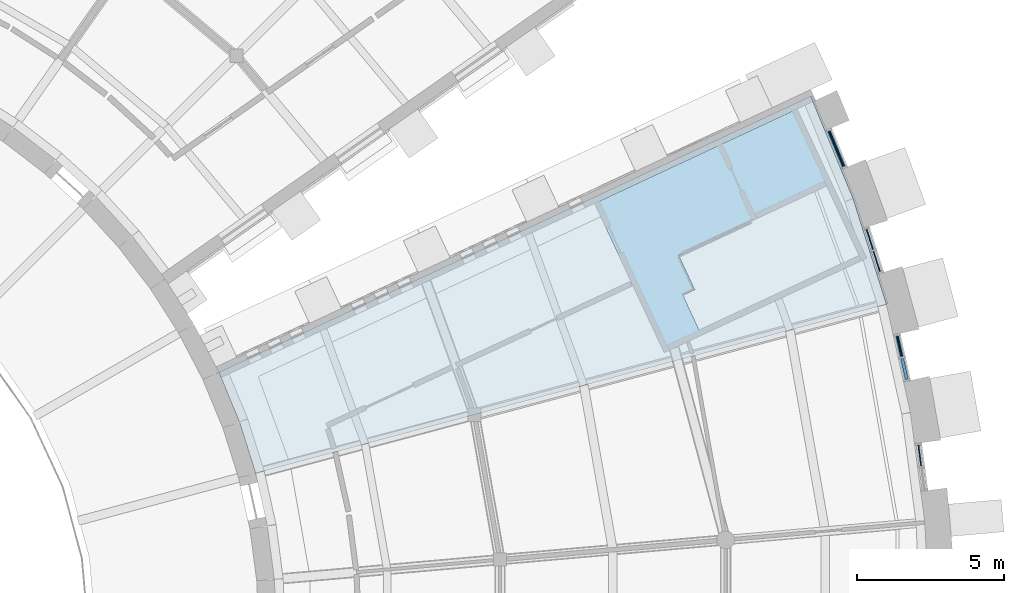
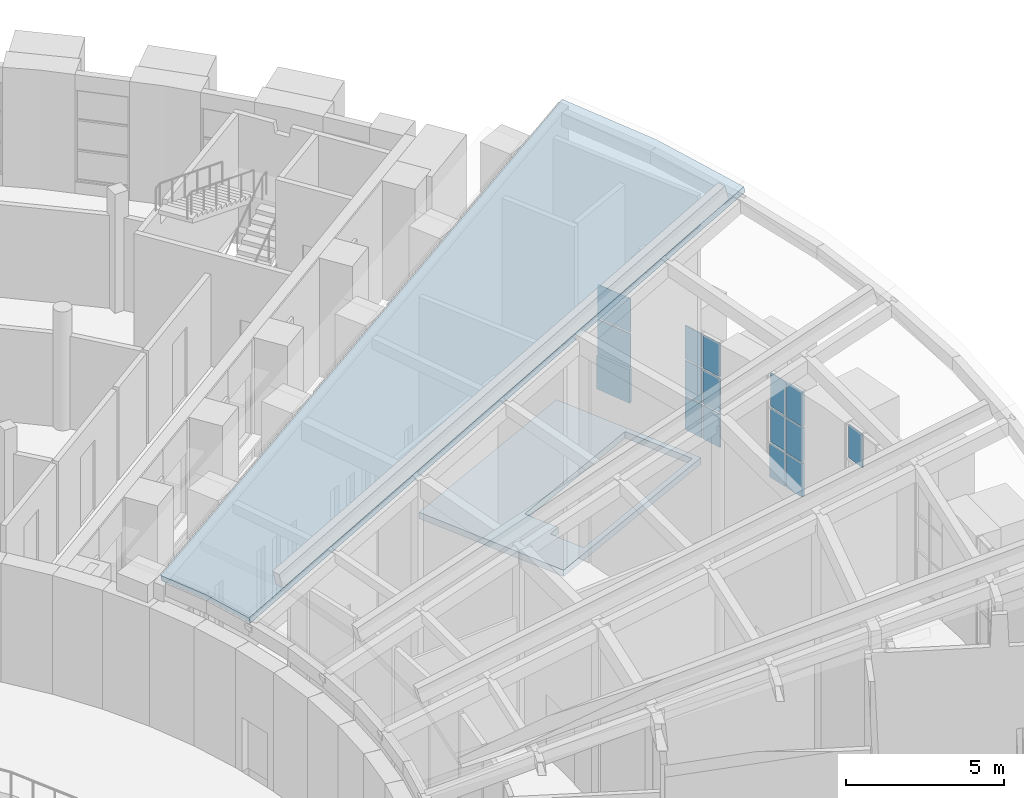
# One storey, part 20 of 50: 16 plates, 2 slabs, 4 elements without a shape of their own.
"""IFC4 building model written with IfcOpenShell, lengths in metres."""

from ifc_helpers import new_model, si_unit, direction, frame, origin, origin_2d, place, context, subcontext, project, spatial, polyline, rectangle, outline, extrude, material, layer, layer_set, type_object, element, aggregate, save


model = new_model("IFC4")

# Units and contexts
model_context = context("Model", 3, precision=1e-05, world=origin(), true_north=direction((0.0, 1.0)))
body_context = subcontext(model_context, "Body", "Model", "MODEL_VIEW")
ifc_project = project(units=[si_unit("LENGTHUNIT", "METRE"), si_unit("AREAUNIT", "SQUARE_METRE"), si_unit("VOLUMEUNIT", "CUBIC_METRE"), si_unit("PLANEANGLEUNIT", "RADIAN"), si_unit("MASSUNIT", "GRAM", prefix="KILO")], contexts=[model_context])

# Site, building, storey
site_placement = place(None, origin())
site = spatial("IfcSite", under=ifc_project, at=site_placement, CompositionType="ELEMENT")
building_placement = place(site_placement, origin())
building = spatial("IfcBuilding", under=site, at=building_placement, Name="Volute Hill Aquarium", CompositionType="ELEMENT")
storey_placement = place(building_placement, frame((0.0, 0.0, 9.199951171875)))
storey = spatial("IfcBuildingStorey", under=building, at=storey_placement, Name="L03", CompositionType="ELEMENT", Elevation=9.199951171875)

# Slab
ifc_material_1 = material(Name="Concrete C30/37", Category="concrete")
ifc_layer_1 = layer(ifc_material_1, 0.25)
ifc_layer_set_1 = layer_set([ifc_layer_1], Name="Core floor slab 250")
slab_type_1 = type_object("IfcSlabType", Name="Core floor slab 250", PredefinedType="FLOOR", material=ifc_layer_set_1)
slab_1_placement = place(storey_placement, frame((0.0, 0.0, -0.25)))
element("IfcSlab", 1, at=slab_1_placement, inside=storey, type_object=slab_type_1, Name="cs/S4-B/L03", PredefinedType="FLOOR", context=body_context, shape_type="SweptSolid", body=[
    extrude(outline(polyline([(34.172119140625, 9.53515625), (41.059814453125, 12.7470703125), (38.693115234375, 17.822265625), (31.805419921875, 14.6103515625), (34.172119140625, 9.53515625)]), holes=[polyline([(34.665283203125, 12.8544921875), (39.6953125, 15.2001953125), (40.794189453125, 12.84375), (35.358154296875, 10.308837890625), (34.80859375, 11.487060546875), (35.214599609375, 11.676513671875), (34.665283203125, 12.8544921875)])]), origin(), (0.0, 0.0, 1.0), 0.25),
])

# Curtain wall, plate
ifc_material_2 = material(Name="Aluminium", Category="aluminium")
ifc_layer_2 = layer(ifc_material_2, 0.25)
ifc_layer_set_2 = layer_set([ifc_layer_2], Name="Curtain wall niche S4 module 819")
curtain_wall_type_1 = type_object("IfcCurtainWallType", Name="Curtain wall niche S4 module 819", PredefinedType="NOTDEFINED", material=ifc_layer_set_2)
curtain_wall_1_placement = place(storey_placement, origin())
curtain_wall_1 = element("IfcCurtainWall", 2, at=curtain_wall_1_placement, inside=storey, type_object=curtain_wall_type_1, Name="Curtain wall CW S4 L03 7", PredefinedType="NOTDEFINED")
ifc_material_3 = material(Name="Glass, low-iron laminated", Category="glass")
ifc_layer_3 = layer(ifc_material_3, 0.035888671875)
ifc_layer_set_3 = layer_set([ifc_layer_3], Name="Curtain wall glass panel S4 36")
plate_type_1 = type_object("IfcPlateType", Name="Curtain wall glass panel S4 36", PredefinedType="CURTAIN_PANEL", material=ifc_layer_set_3)
plate_1_placement = place(storey_placement, frame((42.86181640625, 6.04052734375, 3.24658203125), z_axis=(0.0, 0.0, 1.0), x_axis=(-0.130515808269, 0.991446228392, 0.0)))
plate_1 = element("IfcPlate", 3, at=plate_1_placement, type_object=plate_type_1, Name="CW panel 2.3", PredefinedType="CURTAIN_PANEL", context=body_context, shape_type="SweptSolid", body=[
    extrude(rectangle(XDim=0.728759765625, YDim=0.035888671875, at=origin_2d()), origin(), (0.0, 0.0, 1.0), 1.293212890625),
])
aggregate(curtain_wall_1, [plate_1])

# Curtain wall, plates
curtain_wall_2_placement = place(storey_placement, origin())
curtain_wall_2 = element("IfcCurtainWall", 4, at=curtain_wall_2_placement, inside=storey, type_object=curtain_wall_type_1, Name="Curtain wall CW S4 L03 8", PredefinedType="NOTDEFINED")
plate_2_placement = place(storey_placement, frame((42.172119140625, 9.753173828125, 1.863525390625), z_axis=(0.0, 0.0, 1.0), x_axis=(-0.216436399795, 0.976296719673, 0.0)))
plate_2 = element("IfcPlate", 5, at=plate_2_placement, type_object=plate_type_1, Name="CW panel 2.2", PredefinedType="CURTAIN_PANEL", context=body_context, shape_type="SweptSolid", body=[
    extrude(rectangle(XDim=0.728759765625, YDim=0.035888671875, at=origin_2d()), origin(), (0.0, 0.0, 1.0), 1.3232421875),
])
plate_3_placement = place(storey_placement, frame((42.172119140625, 9.753173828125, 3.24658203125), z_axis=(0.0, 0.0, 1.0), x_axis=(-0.216436399795, 0.976296719673, 0.0)))
plate_3 = element("IfcPlate", 6, at=plate_3_placement, type_object=plate_type_1, Name="CW panel 2.3", PredefinedType="CURTAIN_PANEL", context=body_context, shape_type="SweptSolid", body=[
    extrude(rectangle(XDim=0.728759765625, YDim=0.035888671875, at=origin_2d()), origin(), (0.0, 0.0, 1.0), 1.293212890625),
])

curtain_wall_3_placement = place(storey_placement, origin())
curtain_wall_3 = element("IfcCurtainWall", 7, at=curtain_wall_3_placement, inside=storey, type_object=curtain_wall_type_1, Name="Curtain wall CW S4 L03 9", PredefinedType="NOTDEFINED")
plate_4_placement = place(storey_placement, frame((41.398681640625, 12.639404296875, 0.51025390625), z_axis=(0.0, 0.0, 1.0), x_axis=(-0.300709576466, 0.953715759869, 0.0)))
plate_4 = element("IfcPlate", 8, at=plate_4_placement, type_object=plate_type_1, Name="CW panel 1.1", PredefinedType="CURTAIN_PANEL", context=body_context, shape_type="SweptSolid", body=[
    extrude(rectangle(XDim=0.728759765625, YDim=0.035888671875, at=origin_2d()), origin(), (0.0, 0.0, 1.0), 1.293212890625),
])
plate_5_placement = place(storey_placement, frame((41.398681640625, 12.639404296875, 1.863525390625), z_axis=(0.0, 0.0, 1.0), x_axis=(-0.300709576466, 0.953715759869, 0.0)))
plate_5 = element("IfcPlate", 9, at=plate_5_placement, type_object=plate_type_1, Name="CW panel 1.2", PredefinedType="CURTAIN_PANEL", context=body_context, shape_type="SweptSolid", body=[
    extrude(rectangle(XDim=0.728759765625, YDim=0.035888671875, at=origin_2d()), origin(), (0.0, 0.0, 1.0), 1.3232421875),
])
plate_6_placement = place(storey_placement, frame((41.398681640625, 12.639404296875, 3.24658203125), z_axis=(0.0, 0.0, 1.0), x_axis=(-0.300709576466, 0.953715759869, 0.0)))
plate_6 = element("IfcPlate", 10, at=plate_6_placement, type_object=plate_type_1, Name="CW panel 1.3", PredefinedType="CURTAIN_PANEL", context=body_context, shape_type="SweptSolid", body=[
    extrude(rectangle(XDim=0.728759765625, YDim=0.035888671875, at=origin_2d()), origin(), (0.0, 0.0, 1.0), 1.293212890625),
])
plate_7_placement = place(storey_placement, frame((41.16162109375, 13.391845703125, 0.51025390625), z_axis=(0.0, 0.0, 1.0), x_axis=(-0.300709576466, 0.953715759869, 0.0)))
plate_7 = element("IfcPlate", 11, at=plate_7_placement, type_object=plate_type_1, Name="CW panel 2.1", PredefinedType="CURTAIN_PANEL", context=body_context, shape_type="SweptSolid", body=[
    extrude(rectangle(XDim=0.728759765625, YDim=0.035888671875, at=origin_2d()), origin(), (0.0, 0.0, 1.0), 1.293212890625),
])
plate_8_placement = place(storey_placement, frame((41.16162109375, 13.391845703125, 1.863525390625), z_axis=(0.0, 0.0, 1.0), x_axis=(-0.300709576466, 0.953715759869, 0.0)))
plate_8 = element("IfcPlate", 12, at=plate_8_placement, type_object=plate_type_1, Name="CW panel 2.2", PredefinedType="CURTAIN_PANEL", context=body_context, shape_type="SweptSolid", body=[
    extrude(rectangle(XDim=0.728759765625, YDim=0.035888671875, at=origin_2d()), origin(), (0.0, 0.0, 1.0), 1.3232421875),
])
plate_9_placement = place(storey_placement, frame((41.16162109375, 13.391845703125, 3.24658203125), z_axis=(0.0, 0.0, 1.0), x_axis=(-0.300709576466, 0.953715759869, 0.0)))
plate_9 = element("IfcPlate", 13, at=plate_9_placement, type_object=plate_type_1, Name="CW panel 2.3", PredefinedType="CURTAIN_PANEL", context=body_context, shape_type="SweptSolid", body=[
    extrude(rectangle(XDim=0.728759765625, YDim=0.035888671875, at=origin_2d()), origin(), (0.0, 0.0, 1.0), 1.293212890625),
])
aggregate(curtain_wall_3, [plate_4, plate_5, plate_6, plate_7, plate_8, plate_9])

ifc_material_4 = material(Name="Aluminium", Category="aluminium")
ifc_layer_4 = layer(ifc_material_4, 0.25)
ifc_layer_set_4 = layer_set([ifc_layer_4], Name="Curtain wall niche S4 module 1437")
curtain_wall_type_2 = type_object("IfcCurtainWallType", Name="Curtain wall niche S4 module 1437", PredefinedType="NOTDEFINED", material=ifc_layer_set_4)
curtain_wall_4_placement = place(storey_placement, origin())
curtain_wall_4 = element("IfcCurtainWall", 14, at=curtain_wall_4_placement, inside=storey, type_object=curtain_wall_type_2, Name="Curtain wall CW S4 L03 10", PredefinedType="NOTDEFINED")
plate_10_placement = place(storey_placement, frame((40.027099609375, 16.471435546875, 1.863525390625), z_axis=(0.0, 0.0, 1.0), x_axis=(-0.38269714514, 0.923873852375, 0.0)))
plate_10 = element("IfcPlate", 15, at=plate_10_placement, type_object=plate_type_1, Name="CW panel 1.2", PredefinedType="CURTAIN_PANEL", context=body_context, shape_type="SweptSolid", body=[
    extrude(rectangle(XDim=1.317138671875, YDim=0.035888671875, at=origin_2d()), origin(), (0.0, 0.0, 1.0), 1.3232421875),
])
plate_11_placement = place(storey_placement, frame((40.027099609375, 16.471435546875, 3.24658203125), z_axis=(0.0, 0.0, 1.0), x_axis=(-0.38269714514, 0.923873852375, 0.0)))
plate_11 = element("IfcPlate", 16, at=plate_11_placement, type_object=plate_type_1, Name="CW panel 1.3", PredefinedType="CURTAIN_PANEL", context=body_context, shape_type="SweptSolid", body=[
    extrude(rectangle(XDim=1.317138671875, YDim=0.035888671875, at=origin_2d()), origin(), (0.0, 0.0, 1.0), 1.293212890625),
])

# Plate
ifc_material_5 = material(Name="Aluminium", Category="aluminium")
ifc_layer_5 = layer(ifc_material_5, 0.10009765625)
ifc_layer_set_5 = layer_set([ifc_layer_5], Name="Curtain wall insulated spandrel panel 100")
plate_type_2 = type_object("IfcPlateType", Name="Curtain wall insulated spandrel panel 100", PredefinedType="CURTAIN_PANEL", material=ifc_layer_set_5)
plate_12_placement = place(storey_placement, frame((42.3427734375, 8.983154296875, 0.51025390625), z_axis=(0.0, 0.0, 1.0), x_axis=(-0.216436399795, 0.976296719673, 0.0)))
plate_12 = element("IfcPlate", 17, at=plate_12_placement, type_object=plate_type_2, Name="CW panel 1.1", PredefinedType="CURTAIN_PANEL", context=body_context, shape_type="SweptSolid", body=[
    extrude(rectangle(XDim=0.728759765625, YDim=0.10009765625, at=origin_2d()), origin(), (0.0, 0.0, 1.0), 1.293212890625),
])

plate_13_placement = place(storey_placement, frame((42.3427734375, 8.983154296875, 1.863525390625), z_axis=(0.0, 0.0, 1.0), x_axis=(-0.216436399795, 0.976296719673, 0.0)))
plate_13 = element("IfcPlate", 18, at=plate_13_placement, type_object=plate_type_2, Name="CW panel 1.2", PredefinedType="CURTAIN_PANEL", context=body_context, shape_type="SweptSolid", body=[
    extrude(rectangle(XDim=0.728759765625, YDim=0.10009765625, at=origin_2d()), origin(), (0.0, 0.0, 1.0), 1.3232421875),
])

plate_14_placement = place(storey_placement, frame((42.3427734375, 8.983154296875, 3.24658203125), z_axis=(0.0, 0.0, 1.0), x_axis=(-0.216436399795, 0.976296719673, 0.0)))
plate_14 = element("IfcPlate", 19, at=plate_14_placement, type_object=plate_type_2, Name="CW panel 1.3", PredefinedType="CURTAIN_PANEL", context=body_context, shape_type="SweptSolid", body=[
    extrude(rectangle(XDim=0.728759765625, YDim=0.10009765625, at=origin_2d()), origin(), (0.0, 0.0, 1.0), 1.293212890625),
])

plate_15_placement = place(storey_placement, frame((42.172119140625, 9.753173828125, 0.51025390625), z_axis=(0.0, 0.0, 1.0), x_axis=(-0.216436399795, 0.976296719673, 0.0)))
plate_15 = element("IfcPlate", 20, at=plate_15_placement, type_object=plate_type_2, Name="CW panel 2.1", PredefinedType="CURTAIN_PANEL", context=body_context, shape_type="SweptSolid", body=[
    extrude(rectangle(XDim=0.728759765625, YDim=0.10009765625, at=origin_2d()), origin(), (0.0, 0.0, 1.0), 1.293212890625),
])

aggregate(curtain_wall_2, [plate_12, plate_13, plate_14, plate_15, plate_2, plate_3])

plate_16_placement = place(storey_placement, frame((40.027099609375, 16.471435546875, 0.51025390625), z_axis=(0.0, 0.0, 1.0), x_axis=(-0.38269714514, 0.923873852375, 0.0)))
plate_16 = element("IfcPlate", 21, at=plate_16_placement, type_object=plate_type_2, Name="CW panel 1.1", PredefinedType="CURTAIN_PANEL", context=body_context, shape_type="SweptSolid", body=[
    extrude(rectangle(XDim=1.317138671875, YDim=0.10009765625, at=origin_2d()), origin(), (0.0, 0.0, 1.0), 1.293212890625),
])

aggregate(curtain_wall_4, [plate_16, plate_10, plate_11])

# Slab
ifc_material_6 = material(Name="Concrete C30/37", Category="concrete")
ifc_layer_6 = layer(ifc_material_6, 0.25)
ifc_layer_set_6 = layer_set([ifc_layer_6], Name="Roof slab 250 C30/37")
slab_type_2 = type_object("IfcSlabType", Name="Roof slab 250 C30/37", PredefinedType="ROOF", material=ifc_layer_set_6)
slab_2_placement = place(storey_placement, frame((41.72802734375, 11.180908203125, 11.207275390625), z_axis=(-0.234809741264, -0.08546216905, 0.968277131336), x_axis=(-0.300675055872, 0.953660200562, 0.011257559277)))
element("IfcSlab", 22, at=slab_2_placement, inside=storey, type_object=slab_type_2, Name="rf/S4/L03/5", PredefinedType="ROOF", context=body_context, shape_type="SweptSolid", body=[
    extrude(outline(polyline([(0.0, 0.0), (3.7691483294782233, 1.249000902703301e-16), (7.522633890985203, 0.33922871843259683), (4.560684890470695, 23.068997585135318), (2.7359760615242914, 22.904212885277236), (0.903951430454566, 22.90406029796956), (0.0, 0.0)])), origin(), (0.0, 0.0, -1.0), 0.25),
])

save(model, "model.ifc")
